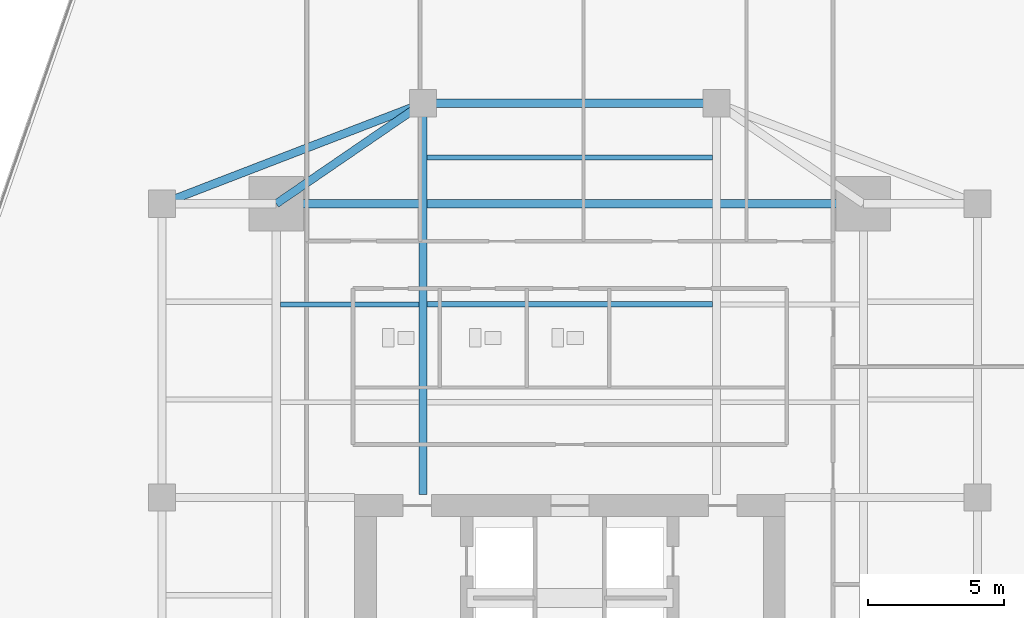
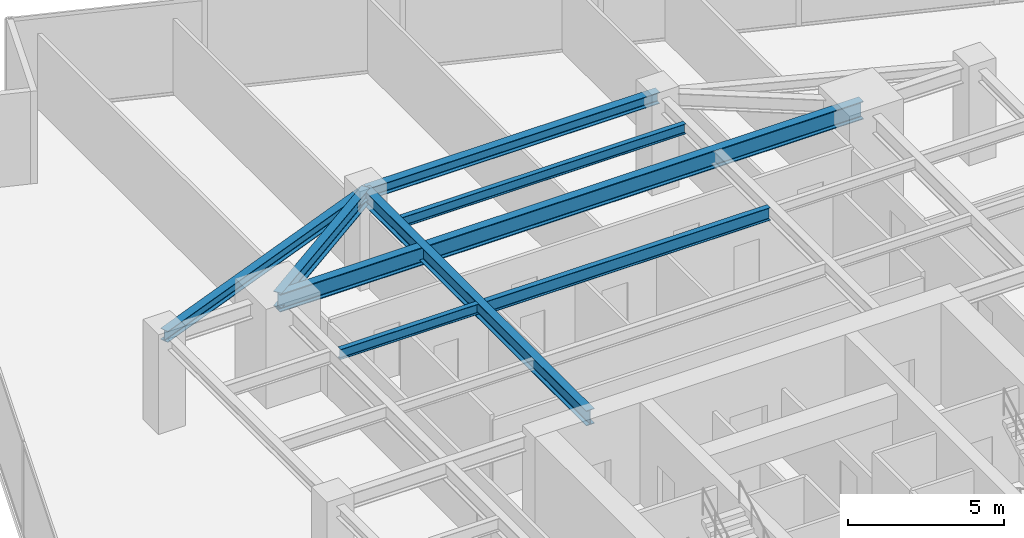
# One storey, part 16 of 28: 8 beams.
"""IFC4 building model written with IfcOpenShell, lengths in metres."""

from ifc_helpers import new_model, si_unit, direction, frame, origin, origin_2d, place, context, subcontext, project, spatial, i_section, extrude, source, transform, mapped, material, material_profile, profile_set, type_object, type_shapes, element, save


model = new_model("IFC4")

# Units and contexts
model_context = context("Model", 3, precision=1e-05, world=origin(), true_north=direction((0.0, 1.0)))
body_context = subcontext(model_context, "Body", "Model", "MODEL_VIEW")
ifc_project = project(units=[si_unit("LENGTHUNIT", "METRE"), si_unit("AREAUNIT", "SQUARE_METRE"), si_unit("VOLUMEUNIT", "CUBIC_METRE"), si_unit("PLANEANGLEUNIT", "RADIAN"), si_unit("MASSUNIT", "GRAM", prefix="KILO")], contexts=[model_context])

# Site, building, storey
site_placement = place(None, origin())
site = spatial("IfcSite", under=ifc_project, at=site_placement, CompositionType="ELEMENT")
building_placement = place(site_placement, origin())
building = spatial("IfcBuilding", under=site, at=building_placement, Name="Krantzveldt Concourse Tower", CompositionType="ELEMENT")
storey_placement = place(building_placement, frame((0.0, 0.0, 117.699951171875)))
storey = spatial("IfcBuildingStorey", under=building, at=storey_placement, Name="L28", CompositionType="ELEMENT", Elevation=117.699951171875)

# Beams
ifc_material_1 = material(Name="Steel S355J2", Category="steel")
ifc_material_profile_1 = material_profile(ifc_material_1, i_section(OverallWidth=0.300048828125, OverallDepth=0.699951171875, WebThickness=0.01708984375, FlangeThickness=0.031982421875, FilletRadius=0.027099609375, at=origin_2d()), Name="Steel S355J2", Category="steel")
ifc_profile_set_1 = profile_set([ifc_material_profile_1], Name="Steel S355J2 - HEB 700")
beam_type_1 = type_object("IfcBeamType", Name="BM-B-HEB700", PredefinedType="BEAM", material=ifc_profile_set_1)
shared_shape_1 = source(origin(), body_context, "Body", "SweptSolid", [
    extrude(i_section(OverallWidth=0.300048828125, OverallDepth=0.699951171875, WebThickness=0.01708984375, FlangeThickness=0.031982421875, FilletRadius=0.027099609375, at=origin_2d()), origin(), (0.0, 0.0, 1.0), 21.60009765625),
])
type_shapes(beam_type_1, [shared_shape_1])
beam_1_placement = place(storey_placement, frame((25.199951171875, 37.5, 3.320068359375), z_axis=(1.0, 0.0, 0.0), x_axis=(0.0, 1.0, 0.0)))
element("IfcBeam", 1, at=beam_1_placement, inside=storey, type_object=beam_type_1, Name="L28 Tower Girder BG-MN", PredefinedType="BEAM", context=body_context, shape_type="MappedRepresentation", body=[
    mapped(shared_shape_1, transform((0.0, 0.0, 0.0), x_axis=(1.0, 0.0, 0.0), y_axis=(0.0, 1.0, 0.0), z_axis=(0.0, 0.0, 1.0), scale=1.0)),
])
ifc_material_2 = material(Name="Steel S355JR", Category="steel")
ifc_material_profile_2 = material_profile(ifc_material_2, i_section(OverallWidth=0.300048828125, OverallDepth=0.590087890625, WebThickness=0.012939453125, FlangeThickness=0.02490234375, FilletRadius=0.027099609375, at=origin_2d()), Name="Steel S355JR", Category="steel")
ifc_profile_set_2 = profile_set([ifc_material_profile_2], Name="Steel S355JR - HEA 600")
beam_type_2 = type_object("IfcBeamType", Name="BM-B-HEA600", PredefinedType="BEAM", material=ifc_profile_set_2)
shared_shape_2 = source(origin(), body_context, "Body", "SweptSolid", [
    extrude(i_section(OverallWidth=0.300048828125, OverallDepth=0.590087890625, WebThickness=0.012939453125, FlangeThickness=0.02490234375, FilletRadius=0.027099609375, at=origin_2d()), origin(), (0.0, 0.0, 1.0), 14.39990234375),
])
beam_2_placement = place(storey_placement, frame((30.60009765625, 26.800048828125, 3.375), z_axis=(0.0, 1.0, 0.0), x_axis=(-1.0, 0.0, 0.0)))
element("IfcBeam", 2, at=beam_2_placement, inside=storey, type_object=beam_type_2, Name="L28 Tower Girder BG-CNW", PredefinedType="BEAM", context=body_context, shape_type="MappedRepresentation", body=[
    mapped(shared_shape_2, transform((0.0, 0.0, 0.0), x_axis=(1.0, 0.0, 0.0), y_axis=(0.0, 1.0, 0.0), z_axis=(0.0, 0.0, 1.0), scale=1.0)),
])
ifc_material_profile_3 = material_profile(ifc_material_2, i_section(OverallWidth=0.300048828125, OverallDepth=0.43994140625, WebThickness=0.011474609375, FlangeThickness=0.02099609375, FilletRadius=0.027099609375, at=origin_2d()), Name="Steel S355JR", Category="steel")
ifc_profile_set_3 = profile_set([ifc_material_profile_3], Name="Steel S355JR - HEA 450")
beam_type_3 = type_object("IfcBeamType", Name="BM-SP-HEA450", PredefinedType="SPANDREL", material=ifc_profile_set_3)
shared_shape_3 = source(origin(), body_context, "Body", "SweptSolid", [
    extrude(i_section(OverallWidth=0.300048828125, OverallDepth=0.43994140625, WebThickness=0.011474609375, FlangeThickness=0.02099609375, FilletRadius=0.027099609375, at=origin_2d()), origin(), (0.0, 0.0, 1.0), 10.288330078125),
])
beam_3_placement = place(storey_placement, frame((21.0, 37.5, 3.449951171875), z_axis=(0.933097690408, 0.359622997257, 0.0), x_axis=(-0.359622997257, 0.933097690408, 0.0)))
element("IfcBeam", 3, at=beam_3_placement, inside=storey, type_object=beam_type_3, Name="L28 Tower Girder SP-R03", PredefinedType="SPANDREL", context=body_context, shape_type="MappedRepresentation", body=[
    mapped(shared_shape_3, transform((0.0, 0.0, 0.0), x_axis=(1.0, 0.0, 0.0), y_axis=(0.0, 1.0, 0.0), z_axis=(0.0, 0.0, 1.0), scale=1.0)),
])
shared_shape_4 = source(origin(), body_context, "Body", "SweptSolid", [
    extrude(i_section(OverallWidth=0.300048828125, OverallDepth=0.43994140625, WebThickness=0.011474609375, FlangeThickness=0.02099609375, FilletRadius=0.027099609375, at=origin_2d()), origin(), (0.0, 0.0, 1.0), 10.7998046875),
])
type_shapes(beam_type_3, [shared_shape_3, shared_shape_4])
beam_4_placement = place(storey_placement, frame((30.60009765625, 41.199951171875, 3.449951171875), z_axis=(1.0, 0.0, 0.0), x_axis=(0.0, 1.0, 0.0)))
element("IfcBeam", 4, at=beam_4_placement, inside=storey, type_object=beam_type_3, Name="L28 Tower Girder SP-R04", PredefinedType="SPANDREL", context=body_context, shape_type="MappedRepresentation", body=[
    mapped(shared_shape_4, transform((0.0, 0.0, 0.0), x_axis=(1.0, 0.0, 0.0), y_axis=(0.0, 1.0, 0.0), z_axis=(0.0, 0.0, 1.0), scale=1.0)),
])
shared_shape_5 = source(origin(), body_context, "Body", "SweptSolid", [
    extrude(i_section(OverallWidth=0.300048828125, OverallDepth=0.590087890625, WebThickness=0.012939453125, FlangeThickness=0.02490234375, FilletRadius=0.027099609375, at=origin_2d()), origin(), (0.0, 0.0, 1.0), 6.546142578125),
])
type_shapes(beam_type_2, [shared_shape_2, shared_shape_5])
beam_5_placement = place(storey_placement, frame((25.199951171875, 37.5, 3.375), z_axis=(0.824942999484, 0.565215930068, 0.0), x_axis=(-0.565215930068, 0.824942999484, 0.0)))
element("IfcBeam", 5, at=beam_5_placement, inside=storey, type_object=beam_type_2, Name="L28 Tower Girder BR-RL4", PredefinedType="BEAM", context=body_context, shape_type="MappedRepresentation", body=[
    mapped(shared_shape_5, transform((0.0, 0.0, 0.0), x_axis=(1.0, 0.0, 0.0), y_axis=(0.0, 1.0, 0.0), z_axis=(0.0, 0.0, 1.0), scale=1.0)),
])
ifc_material_profile_4 = material_profile(ifc_material_2, i_section(OverallWidth=0.199951171875, OverallDepth=0.5, WebThickness=0.01025390625, FlangeThickness=0.01611328125, FilletRadius=0.02099609375, at=origin_2d()), Name="Steel S355JR", Category="steel")
ifc_profile_set_4 = profile_set([ifc_material_profile_4], Name="Steel S355JR - IPE 500")
beam_type_4 = type_object("IfcBeamType", Name="BM-J-IPE500", PredefinedType="JOIST", material=ifc_profile_set_4)
shared_shape_6 = source(origin(), body_context, "Body", "SweptSolid", [
    extrude(i_section(OverallWidth=0.199951171875, OverallDepth=0.5, WebThickness=0.01025390625, FlangeThickness=0.01611328125, FilletRadius=0.02099609375, at=origin_2d()), origin(), (0.0, 0.0, 1.0), 10.5),
])
type_shapes(beam_type_4, [shared_shape_6])
beam_6_placement = place(storey_placement, frame((30.75, 33.800048828125, 3.420166015625), z_axis=(1.0, 0.0, 0.0), x_axis=(0.0, 1.0, 0.0)))
element("IfcBeam", 6, at=beam_6_placement, inside=storey, type_object=beam_type_4, Name="L28 Secondary Floor Joist JN-C2", PredefinedType="JOIST", context=body_context, shape_type="MappedRepresentation", body=[
    mapped(shared_shape_6, transform((0.0, 0.0, 0.0), x_axis=(1.0, 0.0, 0.0), y_axis=(0.0, 1.0, 0.0), z_axis=(0.0, 0.0, 1.0), scale=1.0)),
])
ifc_material_profile_5 = material_profile(ifc_material_2, i_section(OverallWidth=0.179931640625, OverallDepth=0.39990234375, WebThickness=0.008544921875, FlangeThickness=0.013427734375, FilletRadius=0.02099609375, at=origin_2d()), Name="Steel S355JR", Category="steel")
ifc_profile_set_5 = profile_set([ifc_material_profile_5], Name="Steel S355JR - IPE 400")
beam_type_5 = type_object("IfcBeamType", Name="BM-J-IPE400", PredefinedType="JOIST", material=ifc_profile_set_5)
shared_shape_7 = source(origin(), body_context, "Body", "SweptSolid", [
    extrude(i_section(OverallWidth=0.179931640625, OverallDepth=0.39990234375, WebThickness=0.008544921875, FlangeThickness=0.013427734375, FilletRadius=0.02099609375, at=origin_2d()), origin(), (0.0, 0.0, 1.0), 10.5),
])
beam_7_placement = place(storey_placement, frame((30.75, 39.199951171875, 3.469970703125), z_axis=(1.0, 0.0, 0.0), x_axis=(0.0, 1.0, 0.0)))
element("IfcBeam", 7, at=beam_7_placement, inside=storey, type_object=beam_type_5, Name="L28 Secondary Floor Joist JN-C3", PredefinedType="JOIST", context=body_context, shape_type="MappedRepresentation", body=[
    mapped(shared_shape_7, transform((0.0, 0.0, 0.0), x_axis=(1.0, 0.0, 0.0), y_axis=(0.0, 1.0, 0.0), z_axis=(0.0, 0.0, 1.0), scale=1.0)),
])
shared_shape_8 = source(origin(), body_context, "Body", "SweptSolid", [
    extrude(i_section(OverallWidth=0.179931640625, OverallDepth=0.39990234375, WebThickness=0.008544921875, FlangeThickness=0.013427734375, FilletRadius=0.02099609375, at=origin_2d()), origin(), (0.0, 0.0, 1.0), 5.099853515625),
])
type_shapes(beam_type_5, [shared_shape_7, shared_shape_8])
beam_8_placement = place(storey_placement, frame((25.35009765625, 33.800048828125, 3.469970703125), z_axis=(1.0, 0.0, 0.0), x_axis=(0.0, 1.0, 0.0)))
element("IfcBeam", 8, at=beam_8_placement, inside=storey, type_object=beam_type_5, Name="L28 Secondary Floor Joist JN-W2", PredefinedType="JOIST", context=body_context, shape_type="MappedRepresentation", body=[
    mapped(shared_shape_8, transform((0.0, 0.0, 0.0), x_axis=(1.0, 0.0, 0.0), y_axis=(0.0, 1.0, 0.0), z_axis=(0.0, 0.0, 1.0), scale=1.0)),
])

save(model, "model.ifc")
